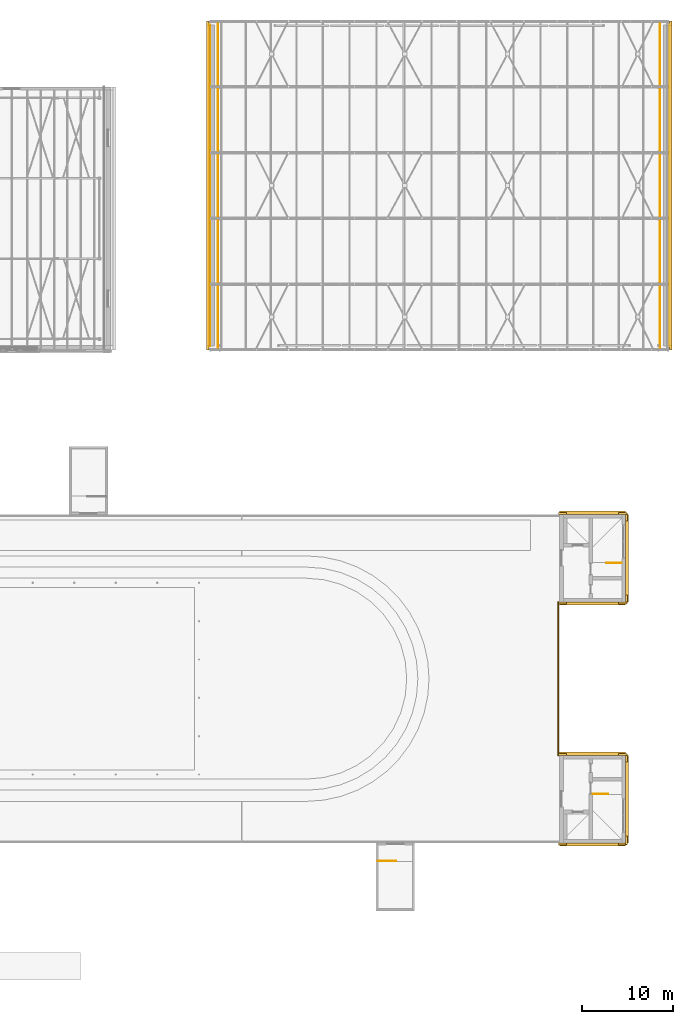
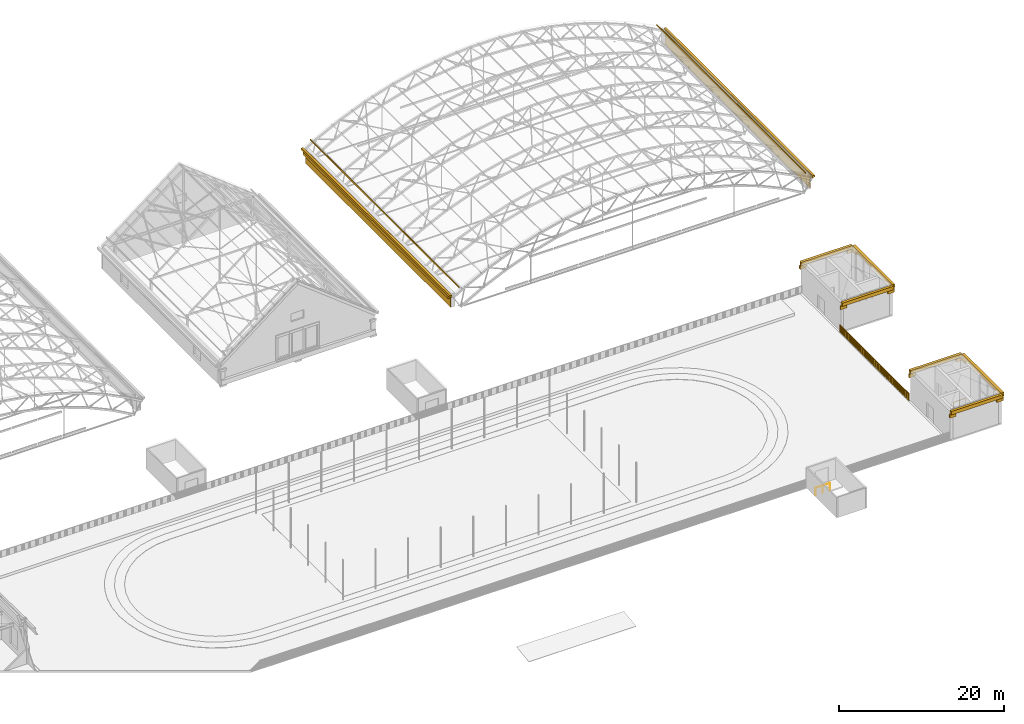
# One storey, part 125 of 127: 26 coverings, 4 railings.
"""IFC4 building model written with IfcOpenShell, lengths in metres."""

from ifc_helpers import new_model, si_unit, direction, frame, origin, origin_2d, place, context, subcontext, project, spatial, polyline, rectangle, circle, outline, extrude, material, layer, layer_set, type_object, element, save


model = new_model("IFC4")

# Units and contexts
model_context = context("Model", 3, precision=1e-05, world=origin(), true_north=direction((0.0, 1.0)))
body_context = subcontext(model_context, "Body", "Model", "MODEL_VIEW")
ifc_project = project(units=[si_unit("LENGTHUNIT", "METRE"), si_unit("AREAUNIT", "SQUARE_METRE"), si_unit("VOLUMEUNIT", "CUBIC_METRE"), si_unit("PLANEANGLEUNIT", "RADIAN"), si_unit("MASSUNIT", "GRAM", prefix="KILO")], contexts=[model_context])

# Site, building, storey
site_placement = place(None, origin())
site = spatial("IfcSite", under=ifc_project, at=site_placement, CompositionType="ELEMENT")
building_placement = place(site_placement, origin())
building = spatial("IfcBuilding", under=site, at=building_placement, Name="Verrick Yard Athletic Hall", CompositionType="ELEMENT")
storey_placement = place(building_placement, frame((0.0, 0.0, 14.0)))
storey = spatial("IfcBuildingStorey", under=building, at=storey_placement, Name="L03", CompositionType="ELEMENT", Elevation=14.0)

# Railing
ifc_material_1 = material(Name="Cast stone balustrade", Category="masonry")
railing_type_1 = type_object("IfcRailingType", Name="Attic balustrade", PredefinedType="BALUSTRADE", material=ifc_material_1)
railing_1_placement = place(storey_placement, frame((158.64990234375, 27.60009765625, 0.0)))
element("IfcRailing", 1, at=railing_1_placement, inside=storey, type_object=railing_type_1, Name="Attic balustrade E", PredefinedType="BALUSTRADE", context=body_context, shape_type="SweptSolid", body=[
    extrude(circle(Radius=0.06005859375, at=origin_2d()), frame((0.0, 0.0, 1.0400390625), z_axis=(0.0, 1.0, 0.0), x_axis=(-1.0, 0.0, 0.0)), (0.0, 0.0, 1.0), 16.7998046875),
    extrude(rectangle(XDim=0.070068359375, YDim=0.070068359375, at=origin_2d()), origin(), (0.0, 0.0, 1.0), 0.97998046875),
    extrude(rectangle(XDim=0.070068359375, YDim=0.070068359375, at=origin_2d()), frame((0.0, 0.14990234375, 0.0)), (0.0, 0.0, 1.0), 0.97998046875),
    extrude(rectangle(XDim=0.070068359375, YDim=0.070068359375, at=origin_2d()), frame((0.0, 0.300048828125, 0.0)), (0.0, 0.0, 1.0), 0.97998046875),
    extrude(rectangle(XDim=0.070068359375, YDim=0.070068359375, at=origin_2d()), frame((0.0, 0.449951171875, 0.0)), (0.0, 0.0, 1.0), 0.97998046875),
    extrude(rectangle(XDim=0.070068359375, YDim=0.070068359375, at=origin_2d()), frame((0.0, 0.60009765625, 0.0)), (0.0, 0.0, 1.0), 0.97998046875),
    extrude(rectangle(XDim=0.070068359375, YDim=0.070068359375, at=origin_2d()), frame((0.0, 0.75, 0.0)), (0.0, 0.0, 1.0), 0.97998046875),
    extrude(rectangle(XDim=0.070068359375, YDim=0.070068359375, at=origin_2d()), frame((0.0, 0.89990234375, 0.0)), (0.0, 0.0, 1.0), 0.97998046875),
    extrude(rectangle(XDim=0.070068359375, YDim=0.070068359375, at=origin_2d()), frame((0.0, 1.050048828125, 0.0)), (0.0, 0.0, 1.0), 0.97998046875),
    extrude(rectangle(XDim=0.070068359375, YDim=0.070068359375, at=origin_2d()), frame((0.0, 1.199951171875, 0.0)), (0.0, 0.0, 1.0), 0.97998046875),
    extrude(rectangle(XDim=0.070068359375, YDim=0.070068359375, at=origin_2d()), frame((0.0, 1.35009765625, 0.0)), (0.0, 0.0, 1.0), 0.97998046875),
    extrude(rectangle(XDim=0.070068359375, YDim=0.070068359375, at=origin_2d()), frame((0.0, 1.5, 0.0)), (0.0, 0.0, 1.0), 0.97998046875),
    extrude(rectangle(XDim=0.070068359375, YDim=0.070068359375, at=origin_2d()), frame((0.0, 1.64990234375, 0.0)), (0.0, 0.0, 1.0), 0.97998046875),
    extrude(rectangle(XDim=0.070068359375, YDim=0.070068359375, at=origin_2d()), frame((0.0, 1.800048828125, 0.0)), (0.0, 0.0, 1.0), 0.97998046875),
    extrude(rectangle(XDim=0.070068359375, YDim=0.070068359375, at=origin_2d()), frame((0.0, 1.949951171875, 0.0)), (0.0, 0.0, 1.0), 0.97998046875),
    extrude(rectangle(XDim=0.070068359375, YDim=0.070068359375, at=origin_2d()), frame((0.0, 2.10009765625, 0.0)), (0.0, 0.0, 1.0), 0.97998046875),
    extrude(rectangle(XDim=0.070068359375, YDim=0.070068359375, at=origin_2d()), frame((0.0, 2.25, 0.0)), (0.0, 0.0, 1.0), 0.97998046875),
    extrude(rectangle(XDim=0.070068359375, YDim=0.070068359375, at=origin_2d()), frame((0.0, 2.39990234375, 0.0)), (0.0, 0.0, 1.0), 0.97998046875),
    extrude(rectangle(XDim=0.070068359375, YDim=0.070068359375, at=origin_2d()), frame((0.0, 2.550048828125, 0.0)), (0.0, 0.0, 1.0), 0.97998046875),
    extrude(rectangle(XDim=0.070068359375, YDim=0.070068359375, at=origin_2d()), frame((0.0, 2.699951171875, 0.0)), (0.0, 0.0, 1.0), 0.97998046875),
    extrude(rectangle(XDim=0.070068359375, YDim=0.070068359375, at=origin_2d()), frame((0.0, 2.849853515625, 0.0)), (0.0, 0.0, 1.0), 0.97998046875),
    extrude(rectangle(XDim=0.070068359375, YDim=0.070068359375, at=origin_2d()), frame((0.0, 3.0, 0.0)), (0.0, 0.0, 1.0), 0.97998046875),
    extrude(rectangle(XDim=0.070068359375, YDim=0.070068359375, at=origin_2d()), frame((0.0, 3.14990234375, 0.0)), (0.0, 0.0, 1.0), 0.97998046875),
    extrude(rectangle(XDim=0.070068359375, YDim=0.070068359375, at=origin_2d()), frame((0.0, 3.300048828125, 0.0)), (0.0, 0.0, 1.0), 0.97998046875),
    extrude(rectangle(XDim=0.070068359375, YDim=0.070068359375, at=origin_2d()), frame((0.0, 3.449951171875, 0.0)), (0.0, 0.0, 1.0), 0.97998046875),
    extrude(rectangle(XDim=0.070068359375, YDim=0.070068359375, at=origin_2d()), frame((0.0, 3.599853515625, 0.0)), (0.0, 0.0, 1.0), 0.97998046875),
    extrude(rectangle(XDim=0.070068359375, YDim=0.070068359375, at=origin_2d()), frame((0.0, 3.75, 0.0)), (0.0, 0.0, 1.0), 0.97998046875),
    extrude(rectangle(XDim=0.070068359375, YDim=0.070068359375, at=origin_2d()), frame((0.0, 3.89990234375, 0.0)), (0.0, 0.0, 1.0), 0.97998046875),
    extrude(rectangle(XDim=0.070068359375, YDim=0.070068359375, at=origin_2d()), frame((0.0, 4.050048828125, 0.0)), (0.0, 0.0, 1.0), 0.97998046875),
    extrude(rectangle(XDim=0.070068359375, YDim=0.070068359375, at=origin_2d()), frame((0.0, 4.199951171875, 0.0)), (0.0, 0.0, 1.0), 0.97998046875),
    extrude(rectangle(XDim=0.070068359375, YDim=0.070068359375, at=origin_2d()), frame((0.0, 4.349853515625, 0.0)), (0.0, 0.0, 1.0), 0.97998046875),
    extrude(rectangle(XDim=0.070068359375, YDim=0.070068359375, at=origin_2d()), frame((0.0, 4.5, 0.0)), (0.0, 0.0, 1.0), 0.97998046875),
    extrude(rectangle(XDim=0.070068359375, YDim=0.070068359375, at=origin_2d()), frame((0.0, 4.64990234375, 0.0)), (0.0, 0.0, 1.0), 0.97998046875),
    extrude(rectangle(XDim=0.070068359375, YDim=0.070068359375, at=origin_2d()), frame((0.0, 4.800048828125, 0.0)), (0.0, 0.0, 1.0), 0.97998046875),
    extrude(rectangle(XDim=0.070068359375, YDim=0.070068359375, at=origin_2d()), frame((0.0, 4.949951171875, 0.0)), (0.0, 0.0, 1.0), 0.97998046875),
    extrude(rectangle(XDim=0.070068359375, YDim=0.070068359375, at=origin_2d()), frame((0.0, 5.099853515625, 0.0)), (0.0, 0.0, 1.0), 0.97998046875),
    extrude(rectangle(XDim=0.070068359375, YDim=0.070068359375, at=origin_2d()), frame((0.0, 5.25, 0.0)), (0.0, 0.0, 1.0), 0.97998046875),
    extrude(rectangle(XDim=0.070068359375, YDim=0.070068359375, at=origin_2d()), frame((0.0, 5.39990234375, 0.0)), (0.0, 0.0, 1.0), 0.97998046875),
    extrude(rectangle(XDim=0.070068359375, YDim=0.070068359375, at=origin_2d()), frame((0.0, 5.550048828125, 0.0)), (0.0, 0.0, 1.0), 0.97998046875),
    extrude(rectangle(XDim=0.070068359375, YDim=0.070068359375, at=origin_2d()), frame((0.0, 5.699951171875, 0.0)), (0.0, 0.0, 1.0), 0.97998046875),
    extrude(rectangle(XDim=0.070068359375, YDim=0.070068359375, at=origin_2d()), frame((0.0, 5.849853515625, 0.0)), (0.0, 0.0, 1.0), 0.97998046875),
    extrude(rectangle(XDim=0.070068359375, YDim=0.070068359375, at=origin_2d()), frame((0.0, 6.0, 0.0)), (0.0, 0.0, 1.0), 0.97998046875),
    extrude(rectangle(XDim=0.070068359375, YDim=0.070068359375, at=origin_2d()), frame((0.0, 6.14990234375, 0.0)), (0.0, 0.0, 1.0), 0.97998046875),
    extrude(rectangle(XDim=0.070068359375, YDim=0.070068359375, at=origin_2d()), frame((0.0, 6.2998046875, 0.0)), (0.0, 0.0, 1.0), 0.97998046875),
    extrude(rectangle(XDim=0.070068359375, YDim=0.070068359375, at=origin_2d()), frame((0.0, 6.449951171875, 0.0)), (0.0, 0.0, 1.0), 0.97998046875),
    extrude(rectangle(XDim=0.070068359375, YDim=0.070068359375, at=origin_2d()), frame((0.0, 6.599853515625, 0.0)), (0.0, 0.0, 1.0), 0.97998046875),
    extrude(rectangle(XDim=0.070068359375, YDim=0.070068359375, at=origin_2d()), frame((0.0, 6.75, 0.0)), (0.0, 0.0, 1.0), 0.97998046875),
    extrude(rectangle(XDim=0.070068359375, YDim=0.070068359375, at=origin_2d()), frame((0.0, 6.89990234375, 0.0)), (0.0, 0.0, 1.0), 0.97998046875),
    extrude(rectangle(XDim=0.070068359375, YDim=0.070068359375, at=origin_2d()), frame((0.0, 7.0498046875, 0.0)), (0.0, 0.0, 1.0), 0.97998046875),
    extrude(rectangle(XDim=0.070068359375, YDim=0.070068359375, at=origin_2d()), frame((0.0, 7.199951171875, 0.0)), (0.0, 0.0, 1.0), 0.97998046875),
    extrude(rectangle(XDim=0.070068359375, YDim=0.070068359375, at=origin_2d()), frame((0.0, 7.349853515625, 0.0)), (0.0, 0.0, 1.0), 0.97998046875),
    extrude(rectangle(XDim=0.070068359375, YDim=0.070068359375, at=origin_2d()), frame((0.0, 7.5, 0.0)), (0.0, 0.0, 1.0), 0.97998046875),
    extrude(rectangle(XDim=0.070068359375, YDim=0.070068359375, at=origin_2d()), frame((0.0, 7.64990234375, 0.0)), (0.0, 0.0, 1.0), 0.97998046875),
    extrude(rectangle(XDim=0.070068359375, YDim=0.070068359375, at=origin_2d()), frame((0.0, 7.7998046875, 0.0)), (0.0, 0.0, 1.0), 0.97998046875),
    extrude(rectangle(XDim=0.070068359375, YDim=0.070068359375, at=origin_2d()), frame((0.0, 7.949951171875, 0.0)), (0.0, 0.0, 1.0), 0.97998046875),
    extrude(rectangle(XDim=0.070068359375, YDim=0.070068359375, at=origin_2d()), frame((0.0, 8.099853515625, 0.0)), (0.0, 0.0, 1.0), 0.97998046875),
    extrude(rectangle(XDim=0.070068359375, YDim=0.070068359375, at=origin_2d()), frame((0.0, 8.25, 0.0)), (0.0, 0.0, 1.0), 0.97998046875),
    extrude(rectangle(XDim=0.070068359375, YDim=0.070068359375, at=origin_2d()), frame((0.0, 8.39990234375, 0.0)), (0.0, 0.0, 1.0), 0.97998046875),
    extrude(rectangle(XDim=0.070068359375, YDim=0.070068359375, at=origin_2d()), frame((0.0, 8.5498046875, 0.0)), (0.0, 0.0, 1.0), 0.97998046875),
    extrude(rectangle(XDim=0.070068359375, YDim=0.070068359375, at=origin_2d()), frame((0.0, 8.699951171875, 0.0)), (0.0, 0.0, 1.0), 0.97998046875),
    extrude(rectangle(XDim=0.070068359375, YDim=0.070068359375, at=origin_2d()), frame((0.0, 8.849853515625, 0.0)), (0.0, 0.0, 1.0), 0.97998046875),
    extrude(rectangle(XDim=0.070068359375, YDim=0.070068359375, at=origin_2d()), frame((0.0, 9.0, 0.0)), (0.0, 0.0, 1.0), 0.97998046875),
    extrude(rectangle(XDim=0.070068359375, YDim=0.070068359375, at=origin_2d()), frame((0.0, 9.14990234375, 0.0)), (0.0, 0.0, 1.0), 0.97998046875),
    extrude(rectangle(XDim=0.070068359375, YDim=0.070068359375, at=origin_2d()), frame((0.0, 9.2998046875, 0.0)), (0.0, 0.0, 1.0), 0.97998046875),
    extrude(rectangle(XDim=0.070068359375, YDim=0.070068359375, at=origin_2d()), frame((0.0, 9.449951171875, 0.0)), (0.0, 0.0, 1.0), 0.97998046875),
    extrude(rectangle(XDim=0.070068359375, YDim=0.070068359375, at=origin_2d()), frame((0.0, 9.599853515625, 0.0)), (0.0, 0.0, 1.0), 0.97998046875),
    extrude(rectangle(XDim=0.070068359375, YDim=0.070068359375, at=origin_2d()), frame((0.0, 9.75, 0.0)), (0.0, 0.0, 1.0), 0.97998046875),
    extrude(rectangle(XDim=0.070068359375, YDim=0.070068359375, at=origin_2d()), frame((0.0, 9.89990234375, 0.0)), (0.0, 0.0, 1.0), 0.97998046875),
    extrude(rectangle(XDim=0.070068359375, YDim=0.070068359375, at=origin_2d()), frame((0.0, 10.0498046875, 0.0)), (0.0, 0.0, 1.0), 0.97998046875),
    extrude(rectangle(XDim=0.070068359375, YDim=0.070068359375, at=origin_2d()), frame((0.0, 10.199951171875, 0.0)), (0.0, 0.0, 1.0), 0.97998046875),
    extrude(rectangle(XDim=0.070068359375, YDim=0.070068359375, at=origin_2d()), frame((0.0, 10.349853515625, 0.0)), (0.0, 0.0, 1.0), 0.97998046875),
    extrude(rectangle(XDim=0.070068359375, YDim=0.070068359375, at=origin_2d()), frame((0.0, 10.5, 0.0)), (0.0, 0.0, 1.0), 0.97998046875),
    extrude(rectangle(XDim=0.070068359375, YDim=0.070068359375, at=origin_2d()), frame((0.0, 10.64990234375, 0.0)), (0.0, 0.0, 1.0), 0.97998046875),
    extrude(rectangle(XDim=0.070068359375, YDim=0.070068359375, at=origin_2d()), frame((0.0, 10.7998046875, 0.0)), (0.0, 0.0, 1.0), 0.97998046875),
    extrude(rectangle(XDim=0.070068359375, YDim=0.070068359375, at=origin_2d()), frame((0.0, 10.949951171875, 0.0)), (0.0, 0.0, 1.0), 0.97998046875),
    extrude(rectangle(XDim=0.070068359375, YDim=0.070068359375, at=origin_2d()), frame((0.0, 11.099853515625, 0.0)), (0.0, 0.0, 1.0), 0.97998046875),
    extrude(rectangle(XDim=0.070068359375, YDim=0.070068359375, at=origin_2d()), frame((0.0, 11.249755859375, 0.0)), (0.0, 0.0, 1.0), 0.97998046875),
    extrude(rectangle(XDim=0.070068359375, YDim=0.070068359375, at=origin_2d()), frame((0.0, 11.39990234375, 0.0)), (0.0, 0.0, 1.0), 0.97998046875),
    extrude(rectangle(XDim=0.070068359375, YDim=0.070068359375, at=origin_2d()), frame((0.0, 11.5498046875, 0.0)), (0.0, 0.0, 1.0), 0.97998046875),
    extrude(rectangle(XDim=0.070068359375, YDim=0.070068359375, at=origin_2d()), frame((0.0, 11.699951171875, 0.0)), (0.0, 0.0, 1.0), 0.97998046875),
    extrude(rectangle(XDim=0.070068359375, YDim=0.070068359375, at=origin_2d()), frame((0.0, 11.849853515625, 0.0)), (0.0, 0.0, 1.0), 0.97998046875),
    extrude(rectangle(XDim=0.070068359375, YDim=0.070068359375, at=origin_2d()), frame((0.0, 11.999755859375, 0.0)), (0.0, 0.0, 1.0), 0.97998046875),
    extrude(rectangle(XDim=0.070068359375, YDim=0.070068359375, at=origin_2d()), frame((0.0, 12.14990234375, 0.0)), (0.0, 0.0, 1.0), 0.97998046875),
    extrude(rectangle(XDim=0.070068359375, YDim=0.070068359375, at=origin_2d()), frame((0.0, 12.2998046875, 0.0)), (0.0, 0.0, 1.0), 0.97998046875),
    extrude(rectangle(XDim=0.070068359375, YDim=0.070068359375, at=origin_2d()), frame((0.0, 12.449951171875, 0.0)), (0.0, 0.0, 1.0), 0.97998046875),
    extrude(rectangle(XDim=0.070068359375, YDim=0.070068359375, at=origin_2d()), frame((0.0, 12.599853515625, 0.0)), (0.0, 0.0, 1.0), 0.97998046875),
    extrude(rectangle(XDim=0.070068359375, YDim=0.070068359375, at=origin_2d()), frame((0.0, 12.749755859375, 0.0)), (0.0, 0.0, 1.0), 0.97998046875),
    extrude(rectangle(XDim=0.070068359375, YDim=0.070068359375, at=origin_2d()), frame((0.0, 12.89990234375, 0.0)), (0.0, 0.0, 1.0), 0.97998046875),
    extrude(rectangle(XDim=0.070068359375, YDim=0.070068359375, at=origin_2d()), frame((0.0, 13.0498046875, 0.0)), (0.0, 0.0, 1.0), 0.97998046875),
    extrude(rectangle(XDim=0.070068359375, YDim=0.070068359375, at=origin_2d()), frame((0.0, 13.199951171875, 0.0)), (0.0, 0.0, 1.0), 0.97998046875),
    extrude(rectangle(XDim=0.070068359375, YDim=0.070068359375, at=origin_2d()), frame((0.0, 13.349853515625, 0.0)), (0.0, 0.0, 1.0), 0.97998046875),
    extrude(rectangle(XDim=0.070068359375, YDim=0.070068359375, at=origin_2d()), frame((0.0, 13.499755859375, 0.0)), (0.0, 0.0, 1.0), 0.97998046875),
    extrude(rectangle(XDim=0.070068359375, YDim=0.070068359375, at=origin_2d()), frame((0.0, 13.64990234375, 0.0)), (0.0, 0.0, 1.0), 0.97998046875),
    extrude(rectangle(XDim=0.070068359375, YDim=0.070068359375, at=origin_2d()), frame((0.0, 13.7998046875, 0.0)), (0.0, 0.0, 1.0), 0.97998046875),
    extrude(rectangle(XDim=0.070068359375, YDim=0.070068359375, at=origin_2d()), frame((0.0, 13.949951171875, 0.0)), (0.0, 0.0, 1.0), 0.97998046875),
    extrude(rectangle(XDim=0.070068359375, YDim=0.070068359375, at=origin_2d()), frame((0.0, 14.099853515625, 0.0)), (0.0, 0.0, 1.0), 0.97998046875),
    extrude(rectangle(XDim=0.070068359375, YDim=0.070068359375, at=origin_2d()), frame((0.0, 14.249755859375, 0.0)), (0.0, 0.0, 1.0), 0.97998046875),
    extrude(rectangle(XDim=0.070068359375, YDim=0.070068359375, at=origin_2d()), frame((0.0, 14.39990234375, 0.0)), (0.0, 0.0, 1.0), 0.97998046875),
    extrude(rectangle(XDim=0.070068359375, YDim=0.070068359375, at=origin_2d()), frame((0.0, 14.5498046875, 0.0)), (0.0, 0.0, 1.0), 0.97998046875),
    extrude(rectangle(XDim=0.070068359375, YDim=0.070068359375, at=origin_2d()), frame((0.0, 14.69970703125, 0.0)), (0.0, 0.0, 1.0), 0.97998046875),
    extrude(rectangle(XDim=0.070068359375, YDim=0.070068359375, at=origin_2d()), frame((0.0, 14.849853515625, 0.0)), (0.0, 0.0, 1.0), 0.97998046875),
    extrude(rectangle(XDim=0.070068359375, YDim=0.070068359375, at=origin_2d()), frame((0.0, 14.999755859375, 0.0)), (0.0, 0.0, 1.0), 0.97998046875),
    extrude(rectangle(XDim=0.070068359375, YDim=0.070068359375, at=origin_2d()), frame((0.0, 15.14990234375, 0.0)), (0.0, 0.0, 1.0), 0.97998046875),
    extrude(rectangle(XDim=0.070068359375, YDim=0.070068359375, at=origin_2d()), frame((0.0, 15.2998046875, 0.0)), (0.0, 0.0, 1.0), 0.97998046875),
    extrude(rectangle(XDim=0.070068359375, YDim=0.070068359375, at=origin_2d()), frame((0.0, 15.44970703125, 0.0)), (0.0, 0.0, 1.0), 0.97998046875),
    extrude(rectangle(XDim=0.070068359375, YDim=0.070068359375, at=origin_2d()), frame((0.0, 15.599853515625, 0.0)), (0.0, 0.0, 1.0), 0.97998046875),
    extrude(rectangle(XDim=0.070068359375, YDim=0.070068359375, at=origin_2d()), frame((0.0, 15.749755859375, 0.0)), (0.0, 0.0, 1.0), 0.97998046875),
    extrude(rectangle(XDim=0.070068359375, YDim=0.070068359375, at=origin_2d()), frame((0.0, 15.89990234375, 0.0)), (0.0, 0.0, 1.0), 0.97998046875),
    extrude(rectangle(XDim=0.070068359375, YDim=0.070068359375, at=origin_2d()), frame((0.0, 16.0498046875, 0.0)), (0.0, 0.0, 1.0), 0.97998046875),
    extrude(rectangle(XDim=0.070068359375, YDim=0.070068359375, at=origin_2d()), frame((0.0, 16.19970703125, 0.0)), (0.0, 0.0, 1.0), 0.97998046875),
    extrude(rectangle(XDim=0.070068359375, YDim=0.070068359375, at=origin_2d()), frame((0.0, 16.349853515625, 0.0)), (0.0, 0.0, 1.0), 0.97998046875),
    extrude(rectangle(XDim=0.070068359375, YDim=0.070068359375, at=origin_2d()), frame((0.0, 16.499755859375, 0.0)), (0.0, 0.0, 1.0), 0.97998046875),
    extrude(rectangle(XDim=0.070068359375, YDim=0.070068359375, at=origin_2d()), frame((0.0, 16.64990234375, 0.0)), (0.0, 0.0, 1.0), 0.97998046875),
    extrude(rectangle(XDim=0.070068359375, YDim=0.070068359375, at=origin_2d()), frame((0.0, 16.7998046875, 0.0)), (0.0, 0.0, 1.0), 0.97998046875),
])

# Coverings
ifc_material_2 = material(Name="Heat-traced aluminium gutter", Category="aluminium")
ifc_layer_1 = layer(ifc_material_2, 0.050048828125)
ifc_layer_set_1 = layer_set([ifc_layer_1], Name="Roof gutter")
covering_type_1 = type_object("IfcCoveringType", Name="Roof gutter", PredefinedType="MOLDING", material=ifc_layer_set_1)
for number, where, z_axis, x_axis, name in (
    (2, (120.25, 90.0, 1.79736328125), (0.0, 0.0, 1.0), (1.0, 0.0, 0.0), "Heated eaves gutter AW"),
    (3, (170.949951171875, 90.0, 1.79736328125), (0.0, 0.0, 1.0), (1.0, 0.0, 0.0), "Heated eaves gutter AE"),
):
    element("IfcCovering", number, at=place(storey_placement, frame(where, z_axis=z_axis, x_axis=x_axis)), inside=storey, type_object=covering_type_1, Name=name, PredefinedType="MOLDING", context=body_context, shape_type="SweptSolid", body=[
        extrude(rectangle(XDim=0.300048828125, YDim=36.0, at=origin_2d()), origin(), (0.0, 0.0, 1.0), 0.300048828125),
    ])
ifc_material_3 = material(Name="Anodised aluminium", Category="aluminium")
ifc_layer_2 = layer(ifc_material_3, 0.0625)
ifc_layer_set_2 = layer_set([ifc_layer_2], Name="Snow guard")
covering_type_2 = type_object("IfcCoveringType", Name="Snow guard", PredefinedType="MOLDING", material=ifc_layer_set_2)
for number, where, z_axis, x_axis, name in (
    (4, (121.39990234375, 72.0, 2.7548828125), (0.0, 0.0, 1.0), (0.0, 1.0, 0.0), "Snow guard AW"),
    (5, (169.800048828125, 72.0, 2.7548828125), (0.0, 0.0, 1.0), (0.0, 1.0, 0.0), "Snow guard AE"),
):
    element("IfcCovering", number, at=place(storey_placement, frame(where, z_axis=z_axis, x_axis=x_axis)), inside=storey, type_object=covering_type_2, Name=name, PredefinedType="MOLDING", context=body_context, shape_type="SweptSolid", body=[
        extrude(outline(polyline([(0.0, 0.0), (36.0, 0.0), (36.0, 0.25), (0.0, 0.25), (0.0, 0.0)])), frame((0.0, 0.03125, 0.0), z_axis=(0.0, -1.0, 0.0), x_axis=(1.0, 0.0, 0.0)), (0.0, 0.0, 1.0), 0.0625),
    ])

# Railings
ifc_material_4 = material(Name="Stainless steel", Category="steel")
railing_type_2 = type_object("IfcRailingType", Name="Stair and core guard 1100", PredefinedType="GUARDRAIL", material=ifc_material_4)
railing_2_placement = place(storey_placement, frame((162.39990234375, 23.35009765625, 0.0)))
element("IfcRailing", 6, at=railing_2_placement, inside=storey, type_object=railing_type_2, Name="L03 Plinth south-east top well guard 1", PredefinedType="GUARDRAIL", context=body_context, shape_type="SweptSolid", body=[
    extrude(circle(Radius=0.02392578125, at=origin_2d()), frame((0.0, 0.0, 1.076171875), z_axis=(1.0, 0.0, 0.0), x_axis=(0.0, 1.0, 0.0)), (0.0, 0.0, 1.0), 1.7001953125),
    extrude(circle(Radius=0.02099609375, at=origin_2d()), origin(), (0.0, 0.0, 1.0), 1.052001953125),
    extrude(circle(Radius=0.02099609375, at=origin_2d()), frame((0.85009765625, 0.0, 0.0)), (0.0, 0.0, 1.0), 1.052001953125),
    extrude(circle(Radius=0.02099609375, at=origin_2d()), frame((1.7001953125, 0.0, 0.0)), (0.0, 0.0, 1.0), 1.052001953125),
])
railing_3_placement = place(storey_placement, frame((165.60009765625, 48.64990234375, 0.0)))
element("IfcRailing", 7, at=railing_3_placement, inside=storey, type_object=railing_type_2, Name="L03 Plinth north-east top well guard 1", PredefinedType="GUARDRAIL", context=body_context, shape_type="SweptSolid", body=[
    extrude(circle(Radius=0.02392578125, at=origin_2d()), frame((0.0, 0.0, 1.076171875), z_axis=(-1.0, 0.0, 0.0), x_axis=(0.0, -1.0, 0.0)), (0.0, 0.0, 1.0), 1.7001953125),
    extrude(circle(Radius=0.02099609375, at=origin_2d()), origin(), (0.0, 0.0, 1.0), 1.052001953125),
    extrude(circle(Radius=0.02099609375, at=origin_2d()), frame((-0.85009765625, 0.0, 0.0)), (0.0, 0.0, 1.0), 1.052001953125),
    extrude(circle(Radius=0.02099609375, at=origin_2d()), frame((-1.7001953125, 0.0, 0.0)), (0.0, 0.0, 1.0), 1.052001953125),
])
railing_4_placement = place(storey_placement, frame((138.89990234375, 16.050048828125, 0.0)))
element("IfcRailing", 8, at=railing_4_placement, inside=storey, type_object=railing_type_2, Name="L03 South deck escape 2 top well guard 1", PredefinedType="GUARDRAIL", context=body_context, shape_type="SweptSolid", body=[
    extrude(circle(Radius=0.02392578125, at=origin_2d()), frame((0.0, 0.0, 1.076171875), z_axis=(1.0, 0.0, 0.0), x_axis=(0.0, 1.0, 0.0)), (0.0, 0.0, 1.0), 2.0),
    extrude(circle(Radius=0.02099609375, at=origin_2d()), origin(), (0.0, 0.0, 1.0), 1.052001953125),
    extrude(circle(Radius=0.02099609375, at=origin_2d()), frame((1.0, 0.0, 0.0)), (0.0, 0.0, 1.0), 1.052001953125),
    extrude(circle(Radius=0.02099609375, at=origin_2d()), frame((2.0, 0.0, 0.0)), (0.0, 0.0, 1.0), 1.052001953125),
])

# Coverings
ifc_material_5 = material(Name="Tyndall-stone-look precast cladding", Category="masonry")
ifc_layer_3 = layer(ifc_material_5, 0.125)
ifc_layer_set_3 = layer_set([ifc_layer_3], Name="Stone cladding")
covering_type_3 = type_object("IfcCoveringType", Name="Stone cladding", PredefinedType="CLADDING", material=ifc_layer_set_3)
for number, where, z_axis, x_axis, name in (
    (9, (120.487548828125, 90.0, 0.0), (0.0, 0.0, 1.0), (1.0, 0.0, 0.0), "Frieze band AW"),
    (10, (170.71240234375, 90.0, 0.0), (0.0, 0.0, 1.0), (1.0, 0.0, 0.0), "Frieze band AE"),
):
    element("IfcCovering", number, at=place(storey_placement, frame(where, z_axis=z_axis, x_axis=x_axis)), inside=storey, type_object=covering_type_3, Name=name, PredefinedType="CLADDING", context=body_context, shape_type="SweptSolid", body=[
        extrude(rectangle(XDim=0.074951171875, YDim=35.163330078125, at=origin_2d()), origin(), (0.0, 0.0, 1.0), 2.0),
    ])
ifc_layer_4 = layer(ifc_material_5, 0.25)
ifc_layer_set_4 = layer_set([ifc_layer_4], Name="Stone moulding")
covering_type_4 = type_object("IfcCoveringType", Name="Stone moulding", PredefinedType="MOLDING", material=ifc_layer_set_4)
for number, where, z_axis, x_axis, name in (
    (11, (120.3125, 90.0, 1.39990234375), (0.0, 0.0, 1.0), (1.0, 0.0, 0.0), "Cornice AW"),
    (12, (170.887451171875, 90.0, 1.39990234375), (0.0, 0.0, 1.0), (1.0, 0.0, 0.0), "Cornice AE"),
):
    element("IfcCovering", number, at=place(storey_placement, frame(where, z_axis=z_axis, x_axis=x_axis)), inside=storey, type_object=covering_type_4, Name=name, PredefinedType="MOLDING", context=body_context, shape_type="SweptSolid", body=[
        extrude(rectangle(XDim=0.425048828125, YDim=35.163330078125, at=origin_2d()), origin(), (0.0, 0.0, 1.0), 0.60009765625),
    ])
for number, where, z_axis, x_axis, name in (
    (13, (159.10009765625, 17.889892578125, 3.39990234375), (0.0, 0.0, 1.0), (1.0, 0.0, 0.0), "Pilaster capital"),
    (14, (165.699951171875, 17.889892578125, 3.39990234375), (0.0, 0.0, 1.0), (1.0, 0.0, 0.0), "Pilaster capital"),
):
    element("IfcCovering", number, at=place(storey_placement, frame(where, z_axis=z_axis, x_axis=x_axis)), inside=storey, type_object=covering_type_4, Name=name, PredefinedType="MOLDING", context=body_context, shape_type="SweptSolid", body=[
        extrude(rectangle(XDim=0.89990234375, YDim=0.219970703125, at=origin_2d()), origin(), (0.0, 0.0, 1.0), 0.5),
    ])
covering_1_placement = place(storey_placement, frame((162.39990234375, 17.824951171875, 3.89990234375), z_axis=(0.0, 0.0, 1.0), x_axis=(1.0, 0.0, 0.0)))
element("IfcCovering", 15, at=covering_1_placement, inside=storey, type_object=covering_type_4, Name="Block cornice", PredefinedType="MOLDING", context=body_context, shape_type="SweptSolid", body=[
    extrude(rectangle(XDim=7.199951171875, YDim=0.35009765625, at=origin_2d()), origin(), (0.0, 0.0, 1.0), 0.5),
])
for number, where, z_axis, x_axis, name in (
    (16, (159.10009765625, 27.7099609375, 3.39990234375), (0.0, 0.0, 1.0), (1.0, 0.0, 0.0), "Pilaster capital"),
    (17, (165.699951171875, 27.7099609375, 3.39990234375), (0.0, 0.0, 1.0), (1.0, 0.0, 0.0), "Pilaster capital"),
):
    element("IfcCovering", number, at=place(storey_placement, frame(where, z_axis=z_axis, x_axis=x_axis)), inside=storey, type_object=covering_type_4, Name=name, PredefinedType="MOLDING", context=body_context, shape_type="SweptSolid", body=[
        extrude(rectangle(XDim=0.89990234375, YDim=0.219970703125, at=origin_2d()), origin(), (0.0, 0.0, 1.0), 0.5),
    ])
covering_2_placement = place(storey_placement, frame((162.39990234375, 27.77490234375, 3.89990234375), z_axis=(0.0, 0.0, 1.0), x_axis=(1.0, 0.0, 0.0)))
element("IfcCovering", 18, at=covering_2_placement, inside=storey, type_object=covering_type_4, Name="Block cornice", PredefinedType="MOLDING", context=body_context, shape_type="SweptSolid", body=[
    extrude(rectangle(XDim=7.199951171875, YDim=0.35009765625, at=origin_2d()), origin(), (0.0, 0.0, 1.0), 0.5),
])
for number, where, z_axis, x_axis, name in (
    (19, (166.110107421875, 18.300048828125, 3.39990234375), (0.0, 0.0, 1.0), (1.0, 0.0, 0.0), "Pilaster capital"),
    (20, (166.110107421875, 27.300048828125, 3.39990234375), (0.0, 0.0, 1.0), (1.0, 0.0, 0.0), "Pilaster capital"),
):
    element("IfcCovering", number, at=place(storey_placement, frame(where, z_axis=z_axis, x_axis=x_axis)), inside=storey, type_object=covering_type_4, Name=name, PredefinedType="MOLDING", context=body_context, shape_type="SweptSolid", body=[
        extrude(rectangle(XDim=0.219970703125, YDim=0.89990234375, at=origin_2d()), origin(), (0.0, 0.0, 1.0), 0.5),
    ])
covering_3_placement = place(storey_placement, frame((166.175048828125, 22.800048828125, 3.89990234375), z_axis=(0.0, 0.0, 1.0), x_axis=(1.0, 0.0, 0.0)))
element("IfcCovering", 21, at=covering_3_placement, inside=storey, type_object=covering_type_4, Name="Block cornice", PredefinedType="MOLDING", context=body_context, shape_type="SweptSolid", body=[
    extrude(rectangle(XDim=0.35009765625, YDim=9.60009765625, at=origin_2d()), origin(), (0.0, 0.0, 1.0), 0.5),
])
for number, where, z_axis, x_axis, name in (
    (22, (159.10009765625, 44.2900390625, 3.39990234375), (0.0, 0.0, 1.0), (1.0, 0.0, 0.0), "Pilaster capital"),
    (23, (165.699951171875, 44.2900390625, 3.39990234375), (0.0, 0.0, 1.0), (1.0, 0.0, 0.0), "Pilaster capital"),
):
    element("IfcCovering", number, at=place(storey_placement, frame(where, z_axis=z_axis, x_axis=x_axis)), inside=storey, type_object=covering_type_4, Name=name, PredefinedType="MOLDING", context=body_context, shape_type="SweptSolid", body=[
        extrude(rectangle(XDim=0.89990234375, YDim=0.219970703125, at=origin_2d()), origin(), (0.0, 0.0, 1.0), 0.5),
    ])
covering_4_placement = place(storey_placement, frame((162.39990234375, 44.22509765625, 3.89990234375), z_axis=(0.0, 0.0, 1.0), x_axis=(1.0, 0.0, 0.0)))
element("IfcCovering", 24, at=covering_4_placement, inside=storey, type_object=covering_type_4, Name="Block cornice", PredefinedType="MOLDING", context=body_context, shape_type="SweptSolid", body=[
    extrude(rectangle(XDim=7.199951171875, YDim=0.35009765625, at=origin_2d()), origin(), (0.0, 0.0, 1.0), 0.5),
])
for number, where, z_axis, x_axis, name in (
    (25, (159.10009765625, 54.110107421875, 3.39990234375), (0.0, 0.0, 1.0), (1.0, 0.0, 0.0), "Pilaster capital"),
    (26, (165.699951171875, 54.110107421875, 3.39990234375), (0.0, 0.0, 1.0), (1.0, 0.0, 0.0), "Pilaster capital"),
):
    element("IfcCovering", number, at=place(storey_placement, frame(where, z_axis=z_axis, x_axis=x_axis)), inside=storey, type_object=covering_type_4, Name=name, PredefinedType="MOLDING", context=body_context, shape_type="SweptSolid", body=[
        extrude(rectangle(XDim=0.89990234375, YDim=0.219970703125, at=origin_2d()), origin(), (0.0, 0.0, 1.0), 0.5),
    ])
covering_5_placement = place(storey_placement, frame((162.39990234375, 54.175048828125, 3.89990234375), z_axis=(0.0, 0.0, 1.0), x_axis=(1.0, 0.0, 0.0)))
element("IfcCovering", 27, at=covering_5_placement, inside=storey, type_object=covering_type_4, Name="Block cornice", PredefinedType="MOLDING", context=body_context, shape_type="SweptSolid", body=[
    extrude(rectangle(XDim=7.199951171875, YDim=0.35009765625, at=origin_2d()), origin(), (0.0, 0.0, 1.0), 0.5),
])
for number, where, z_axis, x_axis, name in (
    (28, (166.110107421875, 44.699951171875, 3.39990234375), (0.0, 0.0, 1.0), (1.0, 0.0, 0.0), "Pilaster capital"),
    (29, (166.110107421875, 53.699951171875, 3.39990234375), (0.0, 0.0, 1.0), (1.0, 0.0, 0.0), "Pilaster capital"),
):
    element("IfcCovering", number, at=place(storey_placement, frame(where, z_axis=z_axis, x_axis=x_axis)), inside=storey, type_object=covering_type_4, Name=name, PredefinedType="MOLDING", context=body_context, shape_type="SweptSolid", body=[
        extrude(rectangle(XDim=0.219970703125, YDim=0.89990234375, at=origin_2d()), origin(), (0.0, 0.0, 1.0), 0.5),
    ])
covering_6_placement = place(storey_placement, frame((166.175048828125, 49.199951171875, 3.89990234375), z_axis=(0.0, 0.0, 1.0), x_axis=(1.0, 0.0, 0.0)))
element("IfcCovering", 30, at=covering_6_placement, inside=storey, type_object=covering_type_4, Name="Block cornice", PredefinedType="MOLDING", context=body_context, shape_type="SweptSolid", body=[
    extrude(rectangle(XDim=0.35009765625, YDim=9.60009765625, at=origin_2d()), origin(), (0.0, 0.0, 1.0), 0.5),
])

save(model, "model.ifc")
